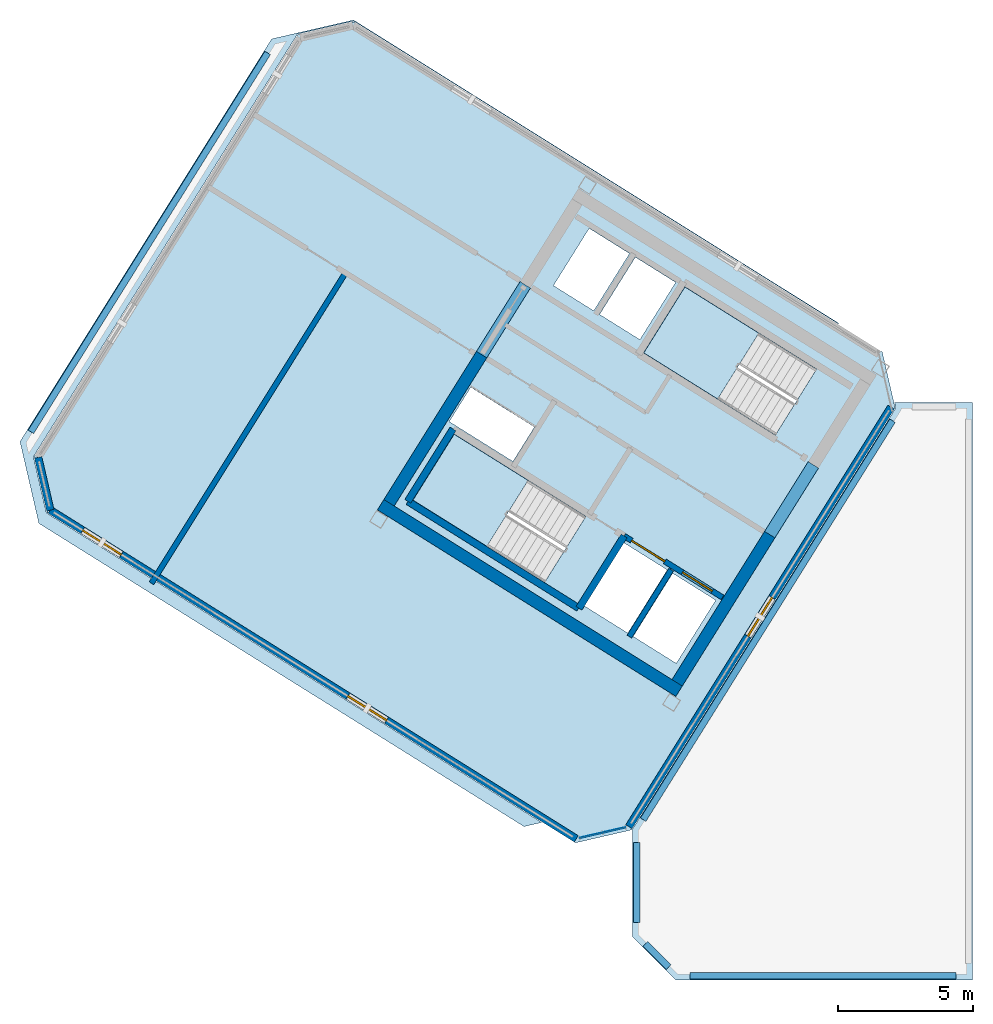
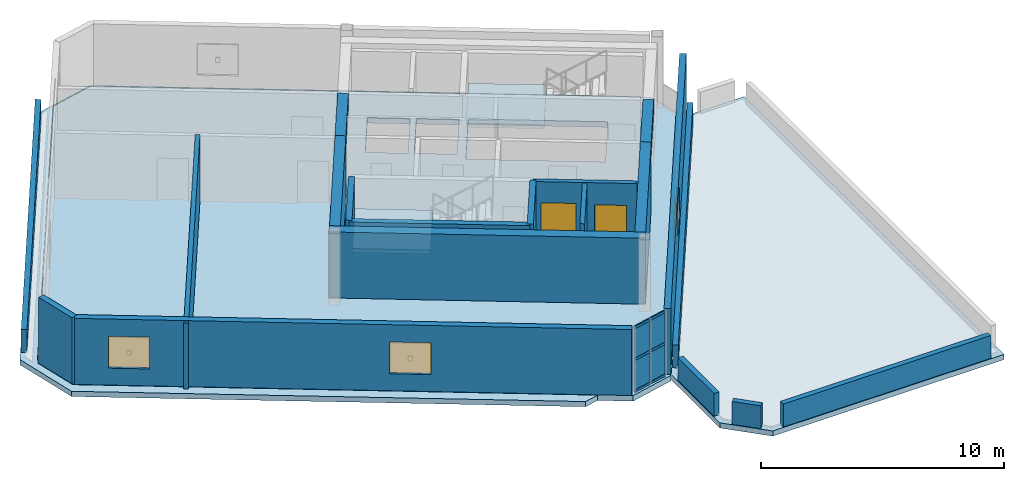
# One storey, part 3 of 8: 17 walls, 6 members, 5 slabs, 4 plates, 3 windows, 2 beams, 2 doors, 5 openings, 3 elements without a shape of their own.
"""IFC4 building model written with IfcOpenShell, lengths in metres."""

from ifc_helpers import new_model, si_unit, direction, frame, frame_2d, origin, origin_2d, place, context, subcontext, project, spatial, polyline, rectangle, hollow_rectangle, outline, extrude, source, transform, mapped, material, layer, layer_set, material_profile, profile_set, type_object, element, fill, aggregate, save


model = new_model("IFC4")

# Units and contexts
model_context = context("Model", 3, precision=1e-05, world=origin(), true_north=direction((0.0, 1.0)))
body_context = subcontext(model_context, "Body", "Model", "MODEL_VIEW")
ifc_project = project(units=[si_unit("LENGTHUNIT", "METRE"), si_unit("AREAUNIT", "SQUARE_METRE"), si_unit("VOLUMEUNIT", "CUBIC_METRE"), si_unit("PLANEANGLEUNIT", "RADIAN"), si_unit("MASSUNIT", "GRAM", prefix="KILO")], contexts=[model_context])

# Site, building, storey
site_placement = place(None, origin())
site = spatial("IfcSite", under=ifc_project, at=site_placement, CompositionType="ELEMENT")
building_placement = place(site_placement, origin())
building = spatial("IfcBuilding", under=site, at=building_placement, Name="Tlacorven Tower", CompositionType="ELEMENT")
storey_placement = place(building_placement, frame((0.0, 0.0, 298.800048828125)))
storey = spatial("IfcBuildingStorey", under=building, at=storey_placement, Name="L76", CompositionType="ELEMENT", Elevation=298.800048828125)

# Beams
ifc_material_1 = material(Name="Concrete C60/75", Category="concrete")
ifc_material_profile_1 = material_profile(ifc_material_1, rectangle(XDim=0.449951171875, YDim=0.699951171875, at=origin_2d()), Name="RC 450X700")
ifc_profile_set_1 = profile_set([ifc_material_profile_1], Name="Concrete C60/75")
beam_type = type_object("IfcBeamType", Name="BM-LNT-700", PredefinedType="LINTEL", material=ifc_profile_set_1)
shared_shape_1 = source(origin(), body_context, "Body", "SweptSolid", [
    extrude(rectangle(XDim=0.449951171875, YDim=0.699951171875, at=origin_2d()), origin(), (0.0, 0.0, 1.0), 3.050048828125),
])
beam_1_placement = place(storey_placement, frame((38.2998046875, 20.890625, 2.969970703125), z_axis=(-0.529984549635, -0.848007297815, 0.0), x_axis=(0.848007297815, -0.529984549635, 0.0)))
element("IfcBeam", 1, at=beam_1_placement, inside=storey, type_object=beam_type, Name="L76 W core coupling lintel beam E1", PredefinedType="LINTEL", context=body_context, shape_type="MappedRepresentation", body=[
    mapped(shared_shape_1, transform((0.0, 0.0, 0.0), scale=1.0)),
])
shared_shape_2 = source(origin(), body_context, "Body", "SweptSolid", [
    extrude(rectangle(XDim=0.449951171875, YDim=0.699951171875, at=origin_2d()), origin(), (0.0, 0.0, 1.0), 3.0498046875),
])
beam_2_placement = place(storey_placement, frame((27.622802734375, 27.562255859375, 2.969970703125), z_axis=(-0.529926983584, -0.848043272522, 0.0), x_axis=(0.848043272522, -0.529926983584, 0.0)))
element("IfcBeam", 2, at=beam_2_placement, inside=storey, type_object=beam_type, Name="L76 W core coupling lintel beam E2", PredefinedType="LINTEL", context=body_context, shape_type="MappedRepresentation", body=[
    mapped(shared_shape_2, transform((0.0, 0.0, 0.0), scale=1.0)),
])

# Curtain wall, members
ifc_material_2 = material(Name="Dark solar low-E double glazing in aluminium frame", Category="aluminium")
curtain_wall_type = type_object("IfcCurtainWallType", Name="CW-CRN-LANTERN", PredefinedType="USERDEFINED", material=ifc_material_2)
curtain_wall_placement = place(storey_placement, origin())
curtain_wall = element("IfcCurtainWall", 3, at=curtain_wall_placement, inside=storey, type_object=curtain_wall_type, Name="L76 CW-CRN-LANTERN Curtain Wall 355", ObjectType="UNITISED CURTAIN WALL", PredefinedType="USERDEFINED")
ifc_material_3 = material(Name="Aluminium 6063-T6 anodised", Category="aluminium")
ifc_material_profile_2 = material_profile(ifc_material_3, hollow_rectangle(XDim=0.054931640625, YDim=0.1201171875, WallThickness=0.00341796875, at=origin_2d()), Name="ALU TRANSOM 55X120")
ifc_profile_set_2 = profile_set([ifc_material_profile_2], Name="Aluminium 6063-T6 anodised")
member_type = type_object("IfcMemberType", Name="CWT-03", PredefinedType="USERDEFINED", material=ifc_profile_set_2)
shared_shape_3 = source(origin(), body_context, "Body", "SweptSolid", [
    extrude(hollow_rectangle(XDim=0.054931640625, YDim=0.1201171875, WallThickness=0.00341796875, at=origin_2d()), origin(), (0.0, 0.0, 1.0), 0.84423828125),
])
member_1_placement = place(storey_placement, frame((31.32666015625, 7.450439453125, 0.06005859375), z_axis=(-0.974357063896, -0.225007359962, 0.0), x_axis=(0.225007359962, -0.974357063896, 0.0)))
member_1 = element("IfcMember", 4, at=member_1_placement, type_object=member_type, Name="CW-L76-355 Transom 1", ObjectType="TRANSOM", PredefinedType="USERDEFINED", context=body_context, shape_type="MappedRepresentation", body=[
    mapped(shared_shape_3, transform((0.0, 0.0, 0.0), scale=1.0)),
])
member_2_placement = place(storey_placement, frame((31.32666015625, 7.450439453125, 1.659912109375), z_axis=(-0.974357063896, -0.225007359962, 0.0), x_axis=(0.225007359962, -0.974357063896, 0.0)))
member_2 = element("IfcMember", 5, at=member_2_placement, type_object=member_type, Name="CW-L76-355 Transom 2", ObjectType="TRANSOM", PredefinedType="USERDEFINED", context=body_context, shape_type="MappedRepresentation", body=[
    mapped(shared_shape_3, transform((0.0, 0.0, 0.0), scale=1.0)),
])
member_3_placement = place(storey_placement, frame((31.32666015625, 7.450439453125, 3.260009765625), z_axis=(-0.974357063896, -0.225007359962, 0.0), x_axis=(0.225007359962, -0.974357063896, 0.0)))
member_3 = element("IfcMember", 6, at=member_3_placement, type_object=member_type, Name="CW-L76-355 Transom 3", ObjectType="TRANSOM", PredefinedType="USERDEFINED", context=body_context, shape_type="MappedRepresentation", body=[
    mapped(shared_shape_3, transform((0.0, 0.0, 0.0), scale=1.0)),
])
member_4_placement = place(storey_placement, frame((30.47412109375, 7.25341796875, 0.06005859375), z_axis=(-0.974357063896, -0.225007359962, 0.0), x_axis=(0.225007359962, -0.974357063896, 0.0)))
member_4 = element("IfcMember", 7, at=member_4_placement, type_object=member_type, Name="CW-L76-355 Transom 4", ObjectType="TRANSOM", PredefinedType="USERDEFINED", context=body_context, shape_type="MappedRepresentation", body=[
    mapped(shared_shape_3, transform((0.0, 0.0, 0.0), scale=1.0)),
])
member_5_placement = place(storey_placement, frame((30.47412109375, 7.25341796875, 1.659912109375), z_axis=(-0.974357063896, -0.225007359962, 0.0), x_axis=(0.225007359962, -0.974357063896, 0.0)))
member_5 = element("IfcMember", 8, at=member_5_placement, type_object=member_type, Name="CW-L76-355 Transom 5", ObjectType="TRANSOM", PredefinedType="USERDEFINED", context=body_context, shape_type="MappedRepresentation", body=[
    mapped(shared_shape_3, transform((0.0, 0.0, 0.0), scale=1.0)),
])
member_6_placement = place(storey_placement, frame((30.47412109375, 7.25341796875, 3.260009765625), z_axis=(-0.974357063896, -0.225007359962, 0.0), x_axis=(0.225007359962, -0.974357063896, 0.0)))
member_6 = element("IfcMember", 9, at=member_6_placement, type_object=member_type, Name="CW-L76-355 Transom 6", ObjectType="TRANSOM", PredefinedType="USERDEFINED", context=body_context, shape_type="MappedRepresentation", body=[
    mapped(shared_shape_3, transform((0.0, 0.0, 0.0), scale=1.0)),
])

# Stair, slab
ifc_material_4 = material(Name="Concrete C40/50", Category="concrete")
stair_type = type_object("IfcStairType", Name="ST-CORE-DLG", PredefinedType="HALF_TURN_STAIR", material=ifc_material_4)
stair_1_placement = place(storey_placement, origin())
stair_1 = element("IfcStair", 10, at=stair_1_placement, inside=storey, type_object=stair_type, Name="L76 Protected Exit Stair West 1", PredefinedType="HALF_TURN_STAIR")
ifc_layer_1 = layer(ifc_material_4, 0.199951171875)
ifc_layer_set_1 = layer_set([ifc_layer_1], Name="Concrete C40/50")
slab_type_1 = type_object("IfcSlabType", Name="SL-LND-200", PredefinedType="LANDING", material=ifc_layer_set_1)
slab_1_placement = place(storey_placement, frame((0.0, 0.0, 1.599853515625)))
slab_1 = element("IfcSlab", 11, at=slab_1_placement, type_object=slab_type_1, Name="ST-W1 landing 1", PredefinedType="LANDING", context=body_context, shape_type="SweptSolid", body=[
    extrude(outline(polyline([(27.728515625, 20.315185546875), (24.9892578125, 22.02685546875), (23.463134765625, 19.58447265625), (26.2021484375, 17.872802734375), (27.728515625, 20.315185546875)])), origin(), (0.0, 0.0, 1.0), 0.2001953125),
])
aggregate(stair_1, [slab_1])

stair_2_placement = place(storey_placement, origin())
stair_2 = element("IfcStair", 12, at=stair_2_placement, inside=storey, type_object=stair_type, Name="L76 Protected Exit Stair West 2", PredefinedType="HALF_TURN_STAIR")
slab_2_placement = place(storey_placement, frame((0.0, 0.0, 1.599853515625)))
slab_2 = element("IfcSlab", 13, at=slab_2_placement, type_object=slab_type_1, Name="ST-W2 landing 1", PredefinedType="LANDING", context=body_context, shape_type="SweptSolid", body=[
    extrude(outline(polyline([(36.280029296875, 25.772705078125), (33.540771484375, 27.484375), (32.0146484375, 25.0419921875), (34.75390625, 23.33056640625), (36.280029296875, 25.772705078125)])), origin(), (0.0, 0.0, 1.0), 0.2001953125),
])
aggregate(stair_2, [slab_2])

# Slabs
ifc_layer_2 = layer(ifc_material_4, 0.260009765625)
ifc_layer_set_2 = layer_set([ifc_layer_2], Name="Concrete C40/50")
slab_type_2 = type_object("IfcSlabType", Name="SL-ROF-260", PredefinedType="ROOF", material=ifc_layer_set_2)
slab_3_placement = place(storey_placement, frame((0.0, 0.0, -0.260009765625)))
element("IfcSlab", 14, at=slab_3_placement, inside=storey, type_object=slab_type_2, Name="L76 Stepped Crown Terrace Roof Cap 1", PredefinedType="ROOF", context=body_context, shape_type="SweptSolid", body=[
    extrude(outline(polyline([(44.199951171875, 1.800048828125), (33.199951171875, 1.800048828125), (31.60009765625, 3.39990234375), (31.60009765625, 7.394775390625), (41.34814453125, 22.9951171875), (41.34912109375, 22.996826171875), (41.349853515625, 22.99853515625), (41.350341796875, 23.00048828125), (41.350830078125, 23.00244140625), (41.35107421875, 23.00439453125), (41.35107421875, 23.00634765625), (41.350830078125, 23.00830078125), (41.3505859375, 23.01025390625), (41.306884765625, 23.199951171875), (44.199951171875, 23.199951171875), (44.199951171875, 1.800048828125)])), origin(), (0.0, 0.0, 1.0), 0.260009765625),
])
slab_4_placement = place(storey_placement, frame((0.0, 0.0, -0.260009765625)))
element("IfcSlab", 15, at=slab_4_placement, inside=storey, type_object=slab_type_2, Name="L76 Stepped Crown Terrace Roof Cap 2", PredefinedType="ROOF", context=body_context, shape_type="SweptSolid", body=[
    extrude(outline(polyline([(27.576904296875, 7.486083984375), (9.598388671875, 18.72021484375), (8.8984375, 21.751708984375), (18.22509765625, 36.677490234375), (21.256591796875, 37.37744140625), (39.235107421875, 26.14306640625), (39.24462890625, 26.101806640625), (21.274658203125, 37.330810546875), (21.27294921875, 37.33154296875), (21.27099609375, 37.33251953125), (21.269287109375, 37.3330078125), (21.267333984375, 37.33349609375), (21.265380859375, 37.333740234375), (21.263427734375, 37.333740234375), (21.261474609375, 37.33349609375), (21.259521484375, 37.333251953125), (19.192626953125, 36.85595703125), (19.190673828125, 36.85546875), (19.188720703125, 36.854736328125), (19.18701171875, 36.853759765625), (19.185546875, 36.852783203125), (19.183837890625, 36.8515625), (19.182373046875, 36.850341796875), (19.18115234375, 36.8486328125), (19.18017578125, 36.84716796875), (9.403076171875, 21.20068359375), (9.402099609375, 21.198974609375), (9.4013671875, 21.197021484375), (9.400634765625, 21.1953125), (9.400390625, 21.193359375), (9.400146484375, 21.19140625), (9.400146484375, 21.189453125), (9.400146484375, 21.1875), (9.400634765625, 21.185546875), (9.877685546875, 19.11865234375), (9.878173828125, 19.11669921875), (9.87890625, 19.114990234375), (9.8798828125, 19.113037109375), (9.880859375, 19.111572265625), (9.882080078125, 19.10986328125), (9.883544921875, 19.108642578125), (9.885009765625, 19.107177734375), (9.88671875, 19.106201171875), (28.23828125, 7.638671875), (27.576904296875, 7.486083984375)])), origin(), (0.0, 0.0, 1.0), 0.260009765625),
])
ifc_material_5 = material(Name="Concrete C50/60", Category="concrete")
ifc_layer_3 = layer(ifc_material_5, 0.280029296875)
ifc_layer_set_3 = layer_set([ifc_layer_3], Name="Concrete C50/60")
slab_type_3 = type_object("IfcSlabType", Name="SL-WND-280", PredefinedType="FLOOR", material=ifc_layer_set_3)
slab_5_placement = place(storey_placement, frame((0.0, 0.0, -0.280029296875)))
element("IfcSlab", 16, at=slab_5_placement, inside=storey, type_object=slab_type_3, Name="L76 Stepped Crown Tier 1 Floor Slab", PredefinedType="FLOOR", context=body_context, shape_type="SweptSolid", body=[
    extrude(outline(polyline([(40.85400390625, 25.072509765625), (21.263916015625, 37.313720703125), (19.197021484375, 36.83642578125), (9.420166015625, 21.18994140625), (9.897216796875, 19.123046875), (29.487060546875, 6.882080078125), (31.55419921875, 7.359130859375), (41.3310546875, 23.005615234375), (40.85400390625, 25.072509765625)]), holes=[polyline([(29.865478515625, 18.979736328125), (24.9892578125, 22.02685546875), (23.463134765625, 19.58447265625), (28.33935546875, 16.537353515625), (29.865478515625, 18.979736328125)]), polyline([(38.4169921875, 24.4375), (33.540771484375, 27.484375), (32.0146484375, 25.0419921875), (36.890869140625, 21.9951171875), (38.4169921875, 24.4375)]), polyline([(34.682373046875, 15.87548828125), (33.088134765625, 16.871826171875), (31.62548828125, 14.531005859375), (33.2197265625, 13.534912109375), (34.682373046875, 15.87548828125)]), polyline([(32.884521484375, 16.9990234375), (31.2392578125, 18.02685546875), (29.77685546875, 15.686279296875), (31.421875, 14.658203125), (32.884521484375, 16.9990234375)]), polyline([(33.197265625, 27.65185546875), (31.704833984375, 28.58447265625), (30.3798828125, 26.46435546875), (31.87255859375, 25.53173828125), (33.197265625, 27.65185546875)]), polyline([(31.484375, 28.722412109375), (29.99169921875, 29.655029296875), (28.6669921875, 27.534912109375), (30.159423828125, 26.602294921875), (31.484375, 28.722412109375)]), polyline([(27.96142578125, 22.2919921875), (25.603759765625, 23.76513671875), (24.80908203125, 22.4931640625), (27.16650390625, 21.02001953125), (27.96142578125, 22.2919921875)])]), origin(), (0.0, 0.0, 1.0), 0.280029296875),
])

# Plate
ifc_material_6 = material(Name="Crown dark solar fritted low-E glazing", Category="glass")
ifc_layer_4 = layer(ifc_material_6, 0.02392578125)
ifc_layer_set_4 = layer_set([ifc_layer_4], Name="Crown dark solar fritted low-E glazing")
plate_type = type_object("IfcPlateType", Name="CWP-04", PredefinedType="CURTAIN_PANEL", material=ifc_layer_set_4)
shared_shape_4 = source(origin(), body_context, "Body", "SweptSolid", [
    extrude(rectangle(XDim=0.838134765625, YDim=0.02392578125, at=origin_2d()), origin(), (0.0, 0.0, 1.0), 1.55810546875),
])
plate_1_placement = place(storey_placement, frame((30.91552734375, 7.35546875, 0.05078125), z_axis=(0.0, 0.0, 1.0), x_axis=(-0.97437037555, -0.22494970827, 0.0)))
plate_1 = element("IfcPlate", 17, at=plate_1_placement, type_object=plate_type, Name="CW-L76-355 Glazing Panel 1", PredefinedType="CURTAIN_PANEL", context=body_context, shape_type="MappedRepresentation", body=[
    mapped(shared_shape_4, transform((0.0, 0.0, 0.0), scale=1.0)),
])

plate_2_placement = place(storey_placement, frame((30.91552734375, 7.35546875, 1.7109375), z_axis=(0.0, 0.0, 1.0), x_axis=(-0.97437037555, -0.22494970827, 0.0)))
plate_2 = element("IfcPlate", 18, at=plate_2_placement, type_object=plate_type, Name="CW-L76-355 Glazing Panel 2", PredefinedType="CURTAIN_PANEL", context=body_context, shape_type="MappedRepresentation", body=[
    mapped(shared_shape_4, transform((0.0, 0.0, 0.0), scale=1.0)),
])

plate_3_placement = place(storey_placement, frame((30.062744140625, 7.158447265625, 0.05078125), z_axis=(0.0, 0.0, 1.0), x_axis=(-0.97437037555, -0.22494970827, 0.0)))
plate_3 = element("IfcPlate", 19, at=plate_3_placement, type_object=plate_type, Name="CW-L76-355 Glazing Panel 3", PredefinedType="CURTAIN_PANEL", context=body_context, shape_type="MappedRepresentation", body=[
    mapped(shared_shape_4, transform((0.0, 0.0, 0.0), scale=1.0)),
])

plate_4_placement = place(storey_placement, frame((30.062744140625, 7.158447265625, 1.7109375), z_axis=(0.0, 0.0, 1.0), x_axis=(-0.97437037555, -0.22494970827, 0.0)))
plate_4 = element("IfcPlate", 20, at=plate_4_placement, type_object=plate_type, Name="CW-L76-355 Glazing Panel 4", PredefinedType="CURTAIN_PANEL", context=body_context, shape_type="MappedRepresentation", body=[
    mapped(shared_shape_4, transform((0.0, 0.0, 0.0), scale=1.0)),
])

aggregate(curtain_wall, [member_1, member_2, member_3, plate_1, plate_2, member_4, member_5, member_6, plate_3, plate_4])

# Walls
ifc_layer_5 = layer(ifc_material_5, 0.449951171875)
ifc_layer_set_5 = layer_set([ifc_layer_5], Name="Concrete C50/60")
wall_type_1 = type_object("IfcWallType", Name="WL-COR-450", PredefinedType="SHEAR", material=ifc_layer_set_5)
wall_1_placement = place(storey_placement, frame((33.32373046875, 12.5029296875, 0.0), z_axis=(0.0, 0.0, 1.0), x_axis=(-0.848043529849, 0.529926571782, 0.0)))
element("IfcWall", 21, at=wall_1_placement, inside=storey, type_object=wall_type_1, Name="L76 W core shear wall S2", PredefinedType="SHEAR", context=body_context, shape_type="SweptSolid", body=[
    extrude(rectangle(XDim=13.039794921875, YDim=0.449951171875, at=frame_2d((6.52001953125, 0.0))), origin(), (0.0, 0.0, 1.0), 3.320068359375),
])
for number, where, z_axis, x_axis, name in (
    (22, (36.683349609375, 18.30419921875, 0.0), (0.0, 0.0, 1.0), (-0.529904039071, -0.848057609704, 0.0), "L76 W core end wall E1.2"),
    (23, (26.006591796875, 24.975830078125, 0.0), (0.0, 0.0, 1.0), (-0.529931155655, -0.848040665456, 0.0), "L76 W core end wall E2.2"),
):
    element("IfcWall", number, at=place(storey_placement, frame(where, z_axis=z_axis, x_axis=x_axis)), inside=storey, type_object=wall_type_1, Name=name, PredefinedType="SHEAR", context=body_context, shape_type="SweptSolid", body=[
        extrude(rectangle(XDim=6.47509765625, YDim=0.449951171875, at=frame_2d((3.237548828125, 0.0))), origin(), (0.0, 0.0, 1.0), 3.320068359375),
    ])

# Wall, opening, window
ifc_material_7 = material(Name="Precast concrete C45/55", Category="concrete")
ifc_layer_6 = layer(ifc_material_7, 0.280029296875)
ifc_layer_set_6 = layer_set([ifc_layer_6], Name="Precast concrete C45/55")
wall_type_2 = type_object("IfcWallType", Name="WL-EXT-280", PredefinedType="STANDARD", material=ifc_layer_set_6)
wall_2_placement = place(storey_placement, frame((41.181640625, 23.03076171875, 0.0), z_axis=(0.0, 0.0, 1.0), x_axis=(-0.529915150569, -0.848050666645, 0.0)))
wall_2 = element("IfcWall", 24, at=wall_2_placement, inside=storey, type_object=wall_type_2, Name="L76 Masonry-Frame Recessed Facade Wall 1", PredefinedType="STANDARD", context=body_context, shape_type="SweptSolid", body=[
    extrude(rectangle(XDim=18.334228515625, YDim=0.280029296875, at=frame_2d((9.1669921875, 0.0))), origin(), (0.0, 0.0, 1.0), 3.320068359375),
])
opening_1_placement = place(wall_2_placement, frame((8.31689453125, 0.0, 0.85009765625)))
opening_1 = element("IfcOpeningElement", 25, at=opening_1_placement, cuts=wall_2, Name="Opening WN19", PredefinedType="OPENING", context=body_context, shape_type="SweptSolid", body=[
    extrude(rectangle(XDim=1.699951171875, YDim=1.60009765625, at=frame_2d((0.85009765625, 0.800048828125))), frame((0.0, 0.14990234375, 0.0), z_axis=(0.0, -1.0, 0.0), x_axis=(1.0, 0.0, 0.0)), (0.0, 0.0, 1.0), 0.300048828125),
])
ifc_material_8 = material(Name="Dark solar low-E double glazing in anodised aluminium frame", Category="aluminium")
window_type = type_object("IfcWindowType", Name="WN-CRN-1700X1800", PartitioningType="SINGLE_PANEL", PredefinedType="WINDOW", material=ifc_material_8)
shared_shape_5 = source(origin(), body_context, "Body", "SweptSolid", [
    extrude(rectangle(XDim=1.699951171875, YDim=1.60009765625, at=frame_2d((0.85009765625, 0.800048828125))), frame((0.0, 0.030029296875, 0.0), z_axis=(0.0, -1.0, 0.0), x_axis=(1.0, 0.0, 0.0)), (0.0, 0.0, 1.0), 0.06005859375),
])
window_1_placement = place(opening_1_placement, origin())
window_1 = element("IfcWindow", 26, at=window_1_placement, inside=storey, type_object=window_type, Name="L76 Acoustic Plant Facade Window 1.1", OverallHeight=1.60009765625, OverallWidth=1.699951171875, PartitioningType="SINGLE_PANEL", PredefinedType="WINDOW", context=body_context, shape_type="MappedRepresentation", body=[
    mapped(shared_shape_5, transform((0.0, 0.0, 0.0), scale=1.0)),
])
fill(opening_1, window_1)

# Wall, openings, windows
wall_3_placement = place(storey_placement, frame((29.51220703125, 7.031494140625, 0.0), z_axis=(0.0, 0.0, 1.0), x_axis=(-0.848049620433, 0.529916824873, 0.0)))
wall_3 = element("IfcWall", 27, at=wall_3_placement, inside=storey, type_object=wall_type_2, Name="L76 Masonry-Frame Recessed Facade Wall 2", PredefinedType="STANDARD", context=body_context, shape_type="SweptSolid", body=[
    extrude(rectangle(XDim=22.984130859375, YDim=0.280029296875, at=frame_2d((11.4921875, 0.0))), origin(), (0.0, 0.0, 1.0), 3.320068359375),
])
opening_2_placement = place(wall_3_placement, frame((8.283447265625, 0.0, 0.85009765625)))
opening_2 = element("IfcOpeningElement", 28, at=opening_2_placement, cuts=wall_3, Name="Opening WN19", PredefinedType="OPENING", context=body_context, shape_type="SweptSolid", body=[
    extrude(rectangle(XDim=1.699951171875, YDim=1.60009765625, at=frame_2d((0.85009765625, 0.800048828125))), frame((0.0, 0.14990234375, 0.0), z_axis=(0.0, -1.0, 0.0), x_axis=(1.0, 0.0, 0.0)), (0.0, 0.0, 1.0), 0.300048828125),
])
opening_3_placement = place(wall_3_placement, frame((19.87548828125, 0.0, 0.85009765625)))
opening_3 = element("IfcOpeningElement", 29, at=opening_3_placement, cuts=wall_3, Name="Opening WN19", PredefinedType="OPENING", context=body_context, shape_type="SweptSolid", body=[
    extrude(rectangle(XDim=1.699951171875, YDim=1.60009765625, at=frame_2d((0.85009765625, 0.800048828125))), frame((0.0, 0.14990234375, 0.0), z_axis=(0.0, -1.0, 0.0), x_axis=(1.0, 0.0, 0.0)), (0.0, 0.0, 1.0), 0.300048828125),
])
window_2_placement = place(opening_2_placement, origin())
window_2 = element("IfcWindow", 30, at=window_2_placement, inside=storey, type_object=window_type, Name="L76 Acoustic Plant Facade Window 2.1", OverallHeight=1.60009765625, OverallWidth=1.699951171875, PartitioningType="SINGLE_PANEL", PredefinedType="WINDOW", context=body_context, shape_type="MappedRepresentation", body=[
    mapped(shared_shape_5, transform((0.0, 0.0, 0.0), scale=1.0)),
])
fill(opening_2, window_2)
window_3_placement = place(opening_3_placement, origin())
window_3 = element("IfcWindow", 31, at=window_3_placement, inside=storey, type_object=window_type, Name="L76 Acoustic Plant Facade Window 2.2", OverallHeight=1.60009765625, OverallWidth=1.699951171875, PartitioningType="SINGLE_PANEL", PredefinedType="WINDOW", context=body_context, shape_type="MappedRepresentation", body=[
    mapped(shared_shape_5, transform((0.0, 0.0, 0.0), scale=1.0)),
])
fill(opening_3, window_3)

# Walls
wall_4_placement = place(storey_placement, frame((10.0205078125, 19.211181640625, 0.0), z_axis=(0.0, 0.0, 1.0), x_axis=(-0.224877290768, 0.974387091508, 0.0)))
element("IfcWall", 32, at=wall_4_placement, inside=storey, type_object=wall_type_2, Name="L76 Masonry-Frame Recessed Facade Wall 3", PredefinedType="STANDARD", context=body_context, shape_type="SweptSolid", body=[
    extrude(rectangle(XDim=2.005126953125, YDim=0.280029296875, at=frame_2d((1.00244140625, 0.0))), origin(), (0.0, 0.0, 1.0), 3.320068359375),
])
ifc_layer_7 = layer(ifc_material_7, 0.239990234375)
ifc_layer_set_7 = layer_set([ifc_layer_7], Name="Precast concrete C45/55")
wall_type_3 = type_object("IfcWallType", Name="WL-PAR-240", PredefinedType="PARAPET", material=ifc_layer_set_7)
wall_5_placement = place(storey_placement, frame((43.590087890625, 1.949951171875, 0.0), z_axis=(0.0, 0.0, 1.0), x_axis=(-1.0, 0.0, 0.0)))
element("IfcWall", 33, at=wall_5_placement, inside=storey, type_object=wall_type_3, Name="L76 Stepped Crown Terrace Parapet 1 1", PredefinedType="PARAPET", context=body_context, shape_type="SweptSolid", body=[
    extrude(rectangle(XDim=9.867919921875, YDim=0.239990234375, at=frame_2d((4.93408203125, 0.0))), origin(), (0.0, 0.0, 1.0), 1.14990234375),
])
wall_6_placement = place(storey_placement, frame((32.936767578125, 2.275390625, 0.0), z_axis=(0.0, 0.0, 1.0), x_axis=(-0.707106781187, 0.707106781187, 0.0)))
element("IfcWall", 34, at=wall_6_placement, inside=storey, type_object=wall_type_3, Name="L76 Stepped Crown Terrace Parapet 1 2", PredefinedType="PARAPET", context=body_context, shape_type="SweptSolid", body=[
    extrude(rectangle(XDim=1.218505859375, YDim=0.239990234375, at=frame_2d((0.609375, 0.0))), origin(), (0.0, 0.0, 1.0), 1.14990234375),
])
wall_7_placement = place(storey_placement, frame((31.75, 3.922119140625, 0.0), z_axis=(0.0, 0.0, 1.0), x_axis=(0.0, 1.0, 0.0)))
element("IfcWall", 35, at=wall_7_placement, inside=storey, type_object=wall_type_3, Name="L76 Stepped Crown Terrace Parapet 1 3", PredefinedType="PARAPET", context=body_context, shape_type="SweptSolid", body=[
    extrude(rectangle(XDim=2.9697265625, YDim=0.239990234375, at=frame_2d((1.48486328125, 0.0))), origin(), (0.0, 0.0, 1.0), 1.14990234375),
])
wall_8_placement = place(storey_placement, frame((31.99365234375, 7.741943359375, 0.0), z_axis=(0.0, 0.0, 1.0), x_axis=(0.529920903963, 0.848047071537, 0.0)))
element("IfcWall", 36, at=wall_8_placement, inside=storey, type_object=wall_type_3, Name="L76 Stepped Crown Terrace Parapet 1 4", PredefinedType="PARAPET", context=body_context, shape_type="SweptSolid", body=[
    extrude(rectangle(XDim=17.43603515625, YDim=0.239990234375, at=frame_2d((8.718017578125, 0.0))), origin(), (0.0, 0.0, 1.0), 1.14990234375),
])
wall_9_placement = place(storey_placement, frame((9.302490234375, 22.114990234375, 0.0), z_axis=(0.0, 0.0, 1.0), x_axis=(0.529912778381, 0.848052148932, 0.0)))
element("IfcWall", 37, at=wall_9_placement, inside=storey, type_object=wall_type_3, Name="L76 Stepped Crown Terrace Parapet 2 1", PredefinedType="PARAPET", context=body_context, shape_type="SweptSolid", body=[
    extrude(rectangle(XDim=16.555908203125, YDim=0.239990234375, at=frame_2d((8.27783203125, 0.0))), origin(), (0.0, 0.0, 1.0), 1.14990234375),
])

# Wall, openings, doors
ifc_layer_8 = layer(ifc_material_4, 0.199951171875)
ifc_layer_set_8 = layer_set([ifc_layer_8], Name="Concrete C40/50")
wall_type_4 = type_object("IfcWallType", Name="WL-SHF-200", PredefinedType="STANDARD", material=ifc_layer_set_8)
wall_10_placement = place(storey_placement, frame((34.93310546875, 15.978271484375, 0.0), z_axis=(0.0, 0.0, 1.0), x_axis=(-0.848055739377, 0.529907032327, 0.0)))
wall_10 = element("IfcWall", 38, at=wall_10_placement, inside=storey, type_object=wall_type_4, Name="L76 Core W Firefighting Lift Shaft Front Wall", PredefinedType="STANDARD", context=body_context, shape_type="SweptSolid", body=[
    extrude(rectangle(XDim=4.298095703125, YDim=0.199951171875, at=frame_2d((2.14892578125, 0.0))), origin(), (0.0, 0.0, 1.0), 3.31005859375),
])
opening_4_placement = place(wall_10_placement, frame((0.447998046875, 0.0, 0.0)))
opening_4 = element("IfcOpeningElement", 39, at=opening_4_placement, cuts=wall_10, Name="Opening LD03", PredefinedType="OPENING", context=body_context, shape_type="SweptSolid", body=[
    extrude(rectangle(XDim=1.300048828125, YDim=2.199951171875, at=frame_2d((0.64990234375, 1.10009765625))), frame((0.0, 0.10986328125, 0.0), z_axis=(0.0, -1.0, 0.0), x_axis=(1.0, 0.0, 0.0)), (0.0, 0.0, 1.0), 0.219970703125),
])
opening_5_placement = place(wall_10_placement, frame((2.52294921875, 0.0, 0.0)))
opening_5 = element("IfcOpeningElement", 40, at=opening_5_placement, cuts=wall_10, Name="Opening LD04", PredefinedType="OPENING", context=body_context, shape_type="SweptSolid", body=[
    extrude(rectangle(XDim=1.449951171875, YDim=2.25, at=frame_2d((0.72509765625, 1.125))), frame((0.0, 0.10986328125, 0.0), z_axis=(0.0, -1.0, 0.0), x_axis=(1.0, 0.0, 0.0)), (0.0, 0.0, 1.0), 0.219970703125),
])
ifc_material_9 = material(Name="Fire-rated steel door assembly", Category="steel")
door_type_1 = type_object("IfcDoorType", Name="DR-LFT-SLID-1300", OperationType="DOUBLE_DOOR_SLIDING", PredefinedType="DOOR", material=ifc_material_9)
shared_shape_6 = source(origin(), body_context, "Body", "SweptSolid", [
    extrude(rectangle(XDim=1.300048828125, YDim=2.199951171875, at=frame_2d((0.64990234375, 1.10009765625))), frame((0.0, 0.02490234375, 0.0), z_axis=(0.0, -1.0, 0.0), x_axis=(1.0, 0.0, 0.0)), (0.0, 0.0, 1.0), 0.050048828125),
])
door_1_placement = place(opening_4_placement, origin())
door_1 = element("IfcDoor", 41, at=door_1_placement, inside=storey, type_object=door_type_1, Name="L76 Lift FFL-W1 Sliding Landing Door", OperationType="DOUBLE_DOOR_SLIDING", OverallHeight=2.199951171875, OverallWidth=1.300048828125, PredefinedType="DOOR", context=body_context, shape_type="MappedRepresentation", body=[
    mapped(shared_shape_6, transform((0.0, 0.0, 0.0), scale=1.0)),
])
fill(opening_4, door_1)
door_type_2 = type_object("IfcDoorType", Name="DR-LFT-SLID-1450", OperationType="DOUBLE_DOOR_SLIDING", PredefinedType="DOOR", material=ifc_material_9)
shared_shape_7 = source(origin(), body_context, "Body", "SweptSolid", [
    extrude(rectangle(XDim=1.449951171875, YDim=2.25, at=frame_2d((0.72509765625, 1.125))), frame((0.0, 0.02490234375, 0.0), z_axis=(0.0, -1.0, 0.0), x_axis=(1.0, 0.0, 0.0)), (0.0, 0.0, 1.0), 0.050048828125),
])
door_2_placement = place(opening_5_placement, origin())
door_2 = element("IfcDoor", 42, at=door_2_placement, inside=storey, type_object=door_type_2, Name="L76 Lift SVL-W1 Sliding Landing Door", OperationType="DOUBLE_DOOR_SLIDING", OverallHeight=2.25, OverallWidth=1.449951171875, PredefinedType="DOOR", context=body_context, shape_type="MappedRepresentation", body=[
    mapped(shared_shape_7, transform((0.0, 0.0, 0.0), scale=1.0)),
])
fill(opening_5, door_2)

# Walls
wall_11_placement = place(storey_placement, frame((33.02880859375, 17.003173828125, 0.0), z_axis=(0.0, 0.0, 1.0), x_axis=(-0.529916267533, -0.848049968695, 0.0)))
element("IfcWall", 43, at=wall_11_placement, inside=storey, type_object=wall_type_4, Name="L76 partition 13", PredefinedType="STANDARD", context=body_context, shape_type="SweptSolid", body=[
    extrude(rectangle(XDim=2.919921875, YDim=0.199951171875, at=frame_2d((1.4599609375, 0.0))), origin(), (0.0, 0.0, 1.0), 3.31005859375),
])
wall_12_placement = place(storey_placement, frame((20.962890625, 28.009521484375, 0.0), z_axis=(0.0, 0.0, 1.0), x_axis=(-0.529926165294, -0.848043783856, 0.0)))
element("IfcWall", 44, at=wall_12_placement, inside=storey, type_object=wall_type_4, Name="L76 partition 22", PredefinedType="STANDARD", context=body_context, shape_type="SweptSolid", body=[
    extrude(rectangle(XDim=13.570068359375, YDim=0.199951171875, at=frame_2d((6.78515625, 0.0))), origin(), (0.0, 0.0, 1.0), 3.31005859375),
])
ifc_layer_9 = layer(ifc_material_5, 0.260009765625)
ifc_layer_set_9 = layer_set([ifc_layer_9], Name="Concrete C50/60")
wall_type_5 = type_object("IfcWallType", Name="WL-STW-260", PredefinedType="SHEAR", material=ifc_layer_set_9)
wall_13_placement = place(storey_placement, frame((29.60498046875, 15.581298828125, 0.0), z_axis=(0.0, 0.0, 1.0), x_axis=(-0.848036911448, 0.529937163087, 0.0)))
element("IfcWall", 45, at=wall_13_placement, inside=storey, type_object=wall_type_5, Name="L76 Stair W1 Far Shear Wall", PredefinedType="SHEAR", context=body_context, shape_type="SweptSolid", body=[
    extrude(rectangle(XDim=7.4599609375, YDim=0.260009765625, at=frame_2d((3.72998046875, 0.0))), origin(), (0.0, 0.0, 1.0), 3.320068359375),
])
wall_14_placement = place(storey_placement, frame((31.2880859375, 18.255859375, 0.0), z_axis=(0.0, 0.0, 1.0), x_axis=(-0.529943379326, -0.848033026897, 0.0)))
element("IfcWall", 46, at=wall_14_placement, inside=storey, type_object=wall_type_5, Name="L76 Stair W1 West Shear Wall", PredefinedType="SHEAR", context=body_context, shape_type="SweptSolid", body=[
    extrude(rectangle(XDim=3.159912109375, YDim=0.260009765625, at=frame_2d((1.580078125, 0.0))), origin(), (0.0, 0.0, 1.0), 3.320068359375),
])
wall_15_placement = place(storey_placement, frame((24.944580078125, 22.2197265625, 0.0), z_axis=(0.0, 0.0, 1.0), x_axis=(-0.529908658664, -0.84805472316, 0.0)))
element("IfcWall", 47, at=wall_15_placement, inside=storey, type_object=wall_type_5, Name="L76 Stair W1 East Shear Wall", PredefinedType="SHEAR", context=body_context, shape_type="SweptSolid", body=[
    extrude(rectangle(XDim=3.16015625, YDim=0.260009765625, at=frame_2d((1.580078125, 0.0))), origin(), (0.0, 0.0, 1.0), 3.320068359375),
])

save(model, "model.ifc")
